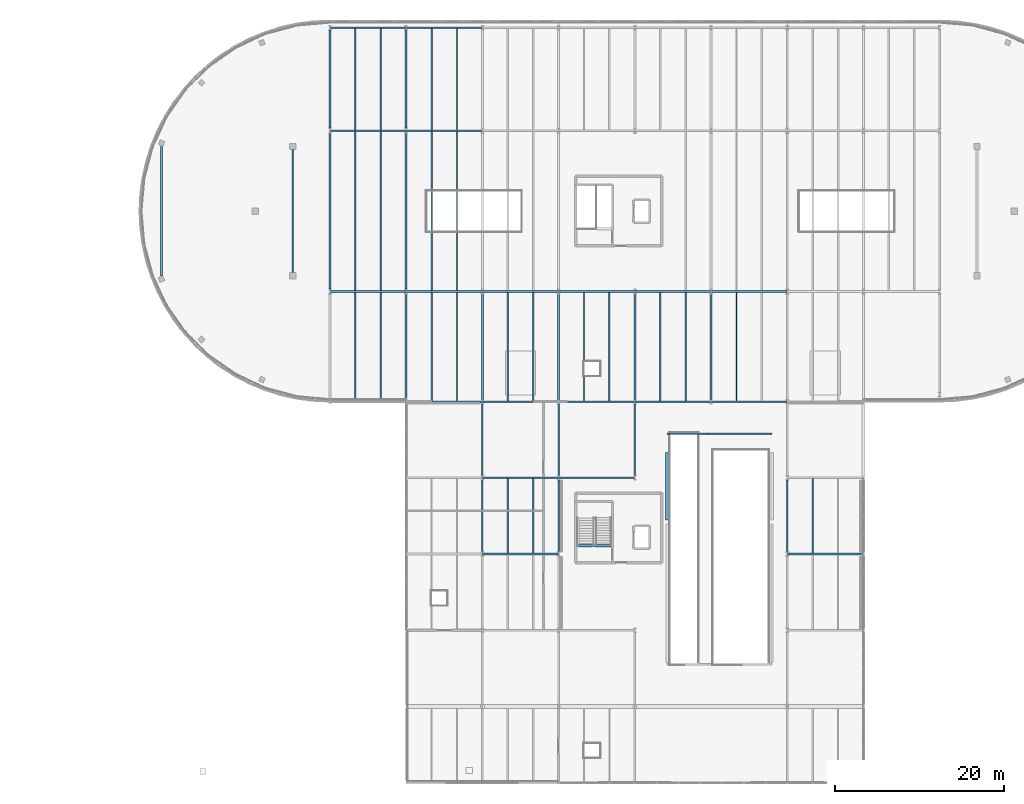
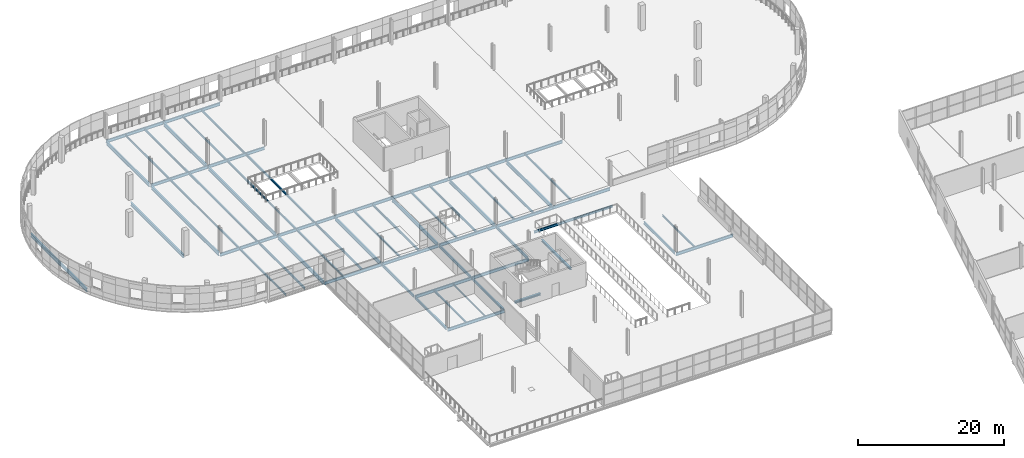
# One storey, part 30 of 88: 62 beams.
"""IFC4 building model written with IfcOpenShell, lengths in metres."""

from ifc_helpers import new_model, si_unit, direction, frame, origin, origin_2d, place, context, subcontext, project, spatial, i_section, extrude, material, material_profile, profile_set, type_object, element, save


model = new_model("IFC4")

# Units and contexts
model_context = context("Model", 3, precision=1e-05, world=origin(), true_north=direction((0.0, 1.0)))
body_context = subcontext(model_context, "Body", "Model", "MODEL_VIEW")
ifc_project = project(units=[si_unit("LENGTHUNIT", "METRE"), si_unit("AREAUNIT", "SQUARE_METRE"), si_unit("VOLUMEUNIT", "CUBIC_METRE"), si_unit("PLANEANGLEUNIT", "RADIAN"), si_unit("MASSUNIT", "GRAM", prefix="KILO")], contexts=[model_context])

# Site, building, storey
site_placement = place(None, origin())
site = spatial("IfcSite", under=ifc_project, at=site_placement, CompositionType="ELEMENT")
building_placement = place(site_placement, origin())
building = spatial("IfcBuilding", under=site, at=building_placement, Name="Deido Ridge Mobility Hub", CompositionType="ELEMENT")
storey_placement = place(building_placement, frame((0.0, 0.0, 16.800048828125)))
storey = spatial("IfcBuildingStorey", under=building, at=storey_placement, Name="L04", CompositionType="ELEMENT", Elevation=16.800048828125)

# Beams
ifc_material = material(Name="Steel S355J2 EN 10025-2", Category="steel")
ifc_material_profile_1 = material_profile(ifc_material, i_section(OverallWidth=0.300048828125, OverallDepth=0.330078125, WebThickness=0.009521484375, FlangeThickness=0.0166015625, FilletRadius=0.027099609375, at=origin_2d()), Name="HEA 340")
ifc_profile_set_1 = profile_set([ifc_material_profile_1], Name="Steel S355J2 EN 10025-2")
beam_type_1 = type_object("IfcBeamType", Name="BM-HEA340", PredefinedType="BEAM", material=ifc_profile_set_1)
beam_1_placement = place(storey_placement, frame((84.800048828125, 67.02490234375, -0.43994140625), z_axis=(0.0, 1.0, 0.0), x_axis=(-1.0, 0.0, 0.0)))
element("IfcBeam", 1, at=beam_1_placement, inside=storey, type_object=beam_type_1, Name="Floor beam B6", PredefinedType="BEAM", context=body_context, shape_type="SweptSolid", body=[
    extrude(i_section(OverallWidth=0.300048828125, OverallDepth=0.330078125, WebThickness=0.009521484375, FlangeThickness=0.0166015625, FilletRadius=0.027099609375, at=origin_2d()), origin(), (0.0, 0.0, 1.0), 7.9501953125),
])
beam_2_placement = place(storey_placement, frame((74.14990234375, 64.0, -0.43994140625), z_axis=(1.0, 0.0, 0.0), x_axis=(0.0, 1.0, 0.0)))
element("IfcBeam", 2, at=beam_2_placement, inside=storey, type_object=beam_type_1, Name="C4 stair landing trimmer beam B6", PredefinedType="BEAM", context=body_context, shape_type="SweptSolid", body=[
    extrude(i_section(OverallWidth=0.300048828125, OverallDepth=0.330078125, WebThickness=0.009521484375, FlangeThickness=0.0166015625, FilletRadius=0.027099609375, at=origin_2d()), origin(), (0.0, 0.0, 1.0), 4.085205078125),
])
ifc_material_profile_2 = material_profile(ifc_material, i_section(OverallWidth=0.179931640625, OverallDepth=0.39990234375, WebThickness=0.008544921875, FlangeThickness=0.013427734375, FilletRadius=0.02099609375, at=origin_2d()), Name="IPE 400")
ifc_profile_set_2 = profile_set([ifc_material_profile_2], Name="Steel S355J2 EN 10025-2")
beam_type_2 = type_object("IfcBeamType", Name="BM-IPE400", PredefinedType="BEAM", material=ifc_profile_set_2)
beam_3_placement = place(storey_placement, frame((84.806884765625, 77.199951171875, -0.47509765625), z_axis=(1.0, 0.0, 0.0), x_axis=(0.0, 1.0, 0.0)))
element("IfcBeam", 3, at=beam_3_placement, inside=storey, type_object=beam_type_2, Name="Floor beam B5", PredefinedType="BEAM", context=body_context, shape_type="SweptSolid", body=[
    extrude(i_section(OverallWidth=0.179931640625, OverallDepth=0.39990234375, WebThickness=0.008544921875, FlangeThickness=0.013427734375, FilletRadius=0.02099609375, at=origin_2d()), origin(), (0.0, 0.0, 1.0), 4.7861328125),
])
beam_4_placement = place(storey_placement, frame((89.60693359375, 77.199951171875, -0.47509765625), z_axis=(1.0, 0.0, 0.0), x_axis=(0.0, 1.0, 0.0)))
element("IfcBeam", 4, at=beam_4_placement, inside=storey, type_object=beam_type_2, Name="Floor beam B5", PredefinedType="BEAM", context=body_context, shape_type="SweptSolid", body=[
    extrude(i_section(OverallWidth=0.179931640625, OverallDepth=0.39990234375, WebThickness=0.008544921875, FlangeThickness=0.013427734375, FilletRadius=0.02099609375, at=origin_2d()), origin(), (0.0, 0.0, 1.0), 7.586181640625),
])
ifc_material_profile_3 = material_profile(ifc_material, i_section(OverallWidth=0.18994140625, OverallDepth=0.449951171875, WebThickness=0.009521484375, FlangeThickness=0.0146484375, FilletRadius=0.02099609375, at=origin_2d()), Name="IPE 450")
ifc_profile_set_3 = profile_set([ifc_material_profile_3], Name="Steel S355J2 EN 10025-2")
beam_type_3 = type_object("IfcBeamType", Name="BM-IPE450", PredefinedType="BEAM", material=ifc_profile_set_3)
for number, where, z_axis, x_axis, name in (
    (5, (63.0, 63.25, -0.5), (0.0, 1.0, 0.0), (-1.0, 0.0, 0.0), "Floor beam B4"),
    (6, (63.0, 72.25, -0.5), (0.0, 1.0, 0.0), (-1.0, 0.0, 0.0), "Floor beam B4"),
    (7, (72.0, 63.25, -0.5), (0.0, 1.0, 0.0), (-1.0, 0.0, 0.0), "Floor beam B4"),
    (8, (72.0, 72.25, -0.5), (0.0, 1.0, 0.0), (-1.0, 0.0, 0.0), "Floor beam B4"),
    (9, (81.0, 72.25, -0.5), (0.0, 1.0, 0.0), (-1.0, 0.0, 0.0), "Floor beam B4"),
    (10, (99.0, 63.25, -0.5), (0.0, 1.0, 0.0), (-1.0, 0.0, 0.0), "Floor beam B4"),
):
    element("IfcBeam", number, at=place(storey_placement, frame(where, z_axis=z_axis, x_axis=x_axis)), inside=storey, type_object=beam_type_3, Name=name, PredefinedType="BEAM", context=body_context, shape_type="SweptSolid", body=[
        extrude(i_section(OverallWidth=0.18994140625, OverallDepth=0.449951171875, WebThickness=0.009521484375, FlangeThickness=0.0146484375, FilletRadius=0.02099609375, at=origin_2d()), origin(), (0.0, 0.0, 1.0), 8.5),
    ])
ifc_material_profile_4 = material_profile(ifc_material, i_section(OverallWidth=0.199951171875, OverallDepth=0.5, WebThickness=0.01025390625, FlangeThickness=0.01611328125, FilletRadius=0.02099609375, at=origin_2d()), Name="IPE 500")
ifc_profile_set_4 = profile_set([ifc_material_profile_4], Name="Steel S355J2 EN 10025-2")
beam_type_4 = type_object("IfcBeamType", Name="BM-IPE500", PredefinedType="BEAM", material=ifc_profile_set_4)
for number, where, z_axis, x_axis, name in (
    (11, (54.007080078125, 81.0, -0.525146484375), (1.0, 0.0, 0.0), (0.0, 1.0, 0.0), "Floor beam B3"),
    (12, (63.007080078125, 81.0, -0.525146484375), (1.0, 0.0, 0.0), (0.0, 1.0, 0.0), "Floor beam B3"),
    (13, (72.007080078125, 81.0, -0.525146484375), (1.0, 0.0, 0.0), (0.0, 1.0, 0.0), "Floor beam B3"),
    (14, (81.007080078125, 81.0, -0.525146484375), (1.0, 0.0, 0.0), (0.0, 1.0, 0.0), "Floor beam B3"),
    (15, (90.007080078125, 81.0, -0.525146484375), (1.0, 0.0, 0.0), (0.0, 1.0, 0.0), "Floor beam B3"),
):
    element("IfcBeam", number, at=place(storey_placement, frame(where, z_axis=z_axis, x_axis=x_axis)), inside=storey, type_object=beam_type_4, Name=name, PredefinedType="BEAM", context=body_context, shape_type="SweptSolid", body=[
        extrude(i_section(OverallWidth=0.199951171875, OverallDepth=0.5, WebThickness=0.01025390625, FlangeThickness=0.01611328125, FilletRadius=0.02099609375, at=origin_2d()), origin(), (0.0, 0.0, 1.0), 8.98583984375),
    ])
for number, where, z_axis, x_axis, name in (
    (16, (45.0078125, 94.0, -0.525146484375), (1.0, 0.0, 0.0), (0.0, 1.0, 0.0), "Floor beam B3"),
    (17, (54.0078125, 94.0, -0.525146484375), (1.0, 0.0, 0.0), (0.0, 1.0, 0.0), "Floor beam B3"),
    (18, (63.0078125, 94.0, -0.525146484375), (1.0, 0.0, 0.0), (0.0, 1.0, 0.0), "Floor beam B3"),
    (19, (72.0078125, 94.0, -0.525146484375), (1.0, 0.0, 0.0), (0.0, 1.0, 0.0), "Floor beam B3"),
    (20, (81.0078125, 94.0, -0.525146484375), (1.0, 0.0, 0.0), (0.0, 1.0, 0.0), "Floor beam B3"),
    (21, (90.0078125, 94.0, -0.525146484375), (1.0, 0.0, 0.0), (0.0, 1.0, 0.0), "Floor beam B3"),
    (22, (45.0078125, 113.0, -0.525146484375), (1.0, 0.0, 0.0), (0.0, 1.0, 0.0), "Floor beam B3"),
    (23, (54.0078125, 113.0, -0.525146484375), (1.0, 0.0, 0.0), (0.0, 1.0, 0.0), "Floor beam B3"),
):
    element("IfcBeam", number, at=place(storey_placement, frame(where, z_axis=z_axis, x_axis=x_axis)), inside=storey, type_object=beam_type_4, Name=name, PredefinedType="BEAM", context=body_context, shape_type="SweptSolid", body=[
        extrude(i_section(OverallWidth=0.199951171875, OverallDepth=0.5, WebThickness=0.01025390625, FlangeThickness=0.01611328125, FilletRadius=0.02099609375, at=origin_2d()), origin(), (0.0, 0.0, 1.0), 8.984375),
    ])
for number, where, z_axis, x_axis, name in (
    (24, (45.007080078125, 125.14990234375, -0.525146484375), (1.0, 0.0, 0.0), (0.0, 1.0, 0.0), "Floor beam B3"),
    (25, (54.007080078125, 125.14990234375, -0.525146484375), (1.0, 0.0, 0.0), (0.0, 1.0, 0.0), "Floor beam B3"),
    (26, (63.007080078125, 63.0, -0.525146484375), (1.0, 0.0, 0.0), (0.0, 1.0, 0.0), "Floor beam B3"),
    (27, (99.007080078125, 63.0, -0.525146484375), (1.0, 0.0, 0.0), (0.0, 1.0, 0.0), "Floor beam B3"),
    (28, (63.007080078125, 72.0, -0.525146484375), (1.0, 0.0, 0.0), (0.0, 1.0, 0.0), "Floor beam B3"),
    (29, (72.007080078125, 72.0, -0.525146484375), (1.0, 0.0, 0.0), (0.0, 1.0, 0.0), "Floor beam B3"),
):
    element("IfcBeam", number, at=place(storey_placement, frame(where, z_axis=z_axis, x_axis=x_axis)), inside=storey, type_object=beam_type_4, Name=name, PredefinedType="BEAM", context=body_context, shape_type="SweptSolid", body=[
        extrude(i_section(OverallWidth=0.199951171875, OverallDepth=0.5, WebThickness=0.01025390625, FlangeThickness=0.01611328125, FilletRadius=0.02099609375, at=origin_2d()), origin(), (0.0, 0.0, 1.0), 8.98583984375),
    ])
ifc_material_profile_5 = material_profile(ifc_material, i_section(OverallWidth=0.219970703125, OverallDepth=0.60009765625, WebThickness=0.011962890625, FlangeThickness=0.01904296875, FilletRadius=0.02392578125, at=origin_2d()), Name="IPE 600")
ifc_profile_set_5 = profile_set([ifc_material_profile_5], Name="Steel S355J2 EN 10025-2")
beam_type_5 = type_object("IfcBeamType", Name="BM-IPE600", PredefinedType="BEAM", material=ifc_profile_set_5)
beam_5_placement = place(storey_placement, frame((25.110107421875, 95.8505859375, -0.574951171875), z_axis=(0.0, 1.0, 0.0), x_axis=(-1.0, 0.0, 0.0)))
element("IfcBeam", 30, at=beam_5_placement, inside=storey, type_object=beam_type_5, Name="Floor beam B1", PredefinedType="BEAM", context=body_context, shape_type="SweptSolid", body=[
    extrude(i_section(OverallWidth=0.219970703125, OverallDepth=0.60009765625, WebThickness=0.011962890625, FlangeThickness=0.01904296875, FilletRadius=0.02392578125, at=origin_2d()), origin(), (0.0, 0.0, 1.0), 15.298828125),
])
beam_6_placement = place(storey_placement, frame((40.60009765625, 96.2548828125, -0.574951171875), z_axis=(0.0, 1.0, 0.0), x_axis=(-1.0, 0.0, 0.0)))
element("IfcBeam", 31, at=beam_6_placement, inside=storey, type_object=beam_type_5, Name="Floor beam B1", PredefinedType="BEAM", context=body_context, shape_type="SweptSolid", body=[
    extrude(i_section(OverallWidth=0.219970703125, OverallDepth=0.60009765625, WebThickness=0.011962890625, FlangeThickness=0.01904296875, FilletRadius=0.02392578125, at=origin_2d()), origin(), (0.0, 0.0, 1.0), 14.490234375),
])
beam_7_placement = place(storey_placement, frame((45.0, 94.300048828125, -0.574951171875), z_axis=(0.0, 1.0, 0.0), x_axis=(-1.0, 0.0, 0.0)))
element("IfcBeam", 32, at=beam_7_placement, inside=storey, type_object=beam_type_5, Name="Floor beam B1", PredefinedType="BEAM", context=body_context, shape_type="SweptSolid", body=[
    extrude(i_section(OverallWidth=0.219970703125, OverallDepth=0.60009765625, WebThickness=0.011962890625, FlangeThickness=0.01904296875, FilletRadius=0.02392578125, at=origin_2d()), origin(), (0.0, 0.0, 1.0), 18.39990234375),
])
beam_8_placement = place(storey_placement, frame((45.0, 113.300048828125, -0.574951171875), z_axis=(0.0, 1.0, 0.0), x_axis=(-1.0, 0.0, 0.0)))
element("IfcBeam", 33, at=beam_8_placement, inside=storey, type_object=beam_type_5, Name="Floor beam B1", PredefinedType="BEAM", context=body_context, shape_type="SweptSolid", body=[
    extrude(i_section(OverallWidth=0.219970703125, OverallDepth=0.60009765625, WebThickness=0.011962890625, FlangeThickness=0.01904296875, FilletRadius=0.02392578125, at=origin_2d()), origin(), (0.0, 0.0, 1.0), 11.599853515625),
])
beam_9_placement = place(storey_placement, frame((54.0, 81.25, -0.574951171875), z_axis=(0.0, 1.0, 0.0), x_axis=(-1.0, 0.0, 0.0)))
element("IfcBeam", 34, at=beam_9_placement, inside=storey, type_object=beam_type_5, Name="Floor beam B1", PredefinedType="BEAM", context=body_context, shape_type="SweptSolid", body=[
    extrude(i_section(OverallWidth=0.219970703125, OverallDepth=0.60009765625, WebThickness=0.011962890625, FlangeThickness=0.01904296875, FilletRadius=0.02392578125, at=origin_2d()), origin(), (0.0, 0.0, 1.0), 12.449951171875),
])
beam_10_placement = place(storey_placement, frame((54.0, 94.300048828125, -0.574951171875), z_axis=(0.0, 1.0, 0.0), x_axis=(-1.0, 0.0, 0.0)))
element("IfcBeam", 35, at=beam_10_placement, inside=storey, type_object=beam_type_5, Name="Floor beam B1", PredefinedType="BEAM", context=body_context, shape_type="SweptSolid", body=[
    extrude(i_section(OverallWidth=0.219970703125, OverallDepth=0.60009765625, WebThickness=0.011962890625, FlangeThickness=0.01904296875, FilletRadius=0.02392578125, at=origin_2d()), origin(), (0.0, 0.0, 1.0), 18.39990234375),
])
beam_11_placement = place(storey_placement, frame((54.0, 113.300048828125, -0.574951171875), z_axis=(0.0, 1.0, 0.0), x_axis=(-1.0, 0.0, 0.0)))
element("IfcBeam", 36, at=beam_11_placement, inside=storey, type_object=beam_type_5, Name="Floor beam B1", PredefinedType="BEAM", context=body_context, shape_type="SweptSolid", body=[
    extrude(i_section(OverallWidth=0.219970703125, OverallDepth=0.60009765625, WebThickness=0.011962890625, FlangeThickness=0.01904296875, FilletRadius=0.02392578125, at=origin_2d()), origin(), (0.0, 0.0, 1.0), 11.599853515625),
])
for number, where, z_axis, x_axis, name in (
    (37, (63.0, 81.25, -0.574951171875), (0.0, 1.0, 0.0), (-1.0, 0.0, 0.0), "Floor beam B1"),
    (38, (72.0, 81.25, -0.574951171875), (0.0, 1.0, 0.0), (-1.0, 0.0, 0.0), "Floor beam B1"),
    (39, (81.0, 81.25, -0.574951171875), (0.0, 1.0, 0.0), (-1.0, 0.0, 0.0), "Floor beam B1"),
    (40, (90.0, 81.25, -0.574951171875), (0.0, 1.0, 0.0), (-1.0, 0.0, 0.0), "Floor beam B1"),
):
    element("IfcBeam", number, at=place(storey_placement, frame(where, z_axis=z_axis, x_axis=x_axis)), inside=storey, type_object=beam_type_5, Name=name, PredefinedType="BEAM", context=body_context, shape_type="SweptSolid", body=[
        extrude(i_section(OverallWidth=0.219970703125, OverallDepth=0.60009765625, WebThickness=0.011962890625, FlangeThickness=0.01904296875, FilletRadius=0.02392578125, at=origin_2d()), origin(), (0.0, 0.0, 1.0), 12.449951171875),
    ])
ifc_material_profile_6 = material_profile(ifc_material, i_section(OverallWidth=0.135009765625, OverallDepth=0.27001953125, WebThickness=0.006591796875, FlangeThickness=0.01025390625, FilletRadius=0.014892578125, at=origin_2d()), Name="IPE 270")
ifc_profile_set_6 = profile_set([ifc_material_profile_6], Name="Steel S355J2 EN 10025-2")
beam_type_6 = type_object("IfcBeamType", Name="JST-IPE270", PredefinedType="JOIST", material=ifc_profile_set_6)
beam_12_placement = place(storey_placement, frame((69.0, 63.10009765625, -0.41015625), z_axis=(0.0, 1.0, 0.0), x_axis=(-1.0, 0.0, 0.0)))
element("IfcBeam", 41, at=beam_12_placement, inside=storey, type_object=beam_type_6, Name="Composite joist J4", PredefinedType="JOIST", context=body_context, shape_type="SweptSolid", body=[
    extrude(i_section(OverallWidth=0.135009765625, OverallDepth=0.27001953125, WebThickness=0.006591796875, FlangeThickness=0.01025390625, FilletRadius=0.014892578125, at=origin_2d()), origin(), (0.0, 0.0, 1.0), 8.7998046875),
])
ifc_material_profile_7 = material_profile(ifc_material, i_section(OverallWidth=0.14990234375, OverallDepth=0.300048828125, WebThickness=0.007080078125, FlangeThickness=0.0107421875, FilletRadius=0.014892578125, at=origin_2d()), Name="IPE 300")
ifc_profile_set_7 = profile_set([ifc_material_profile_7], Name="Steel S355J2 EN 10025-2")
beam_type_7 = type_object("IfcBeamType", Name="JST-IPE300", PredefinedType="JOIST", material=ifc_profile_set_7)
for number, where, z_axis, x_axis, name in (
    (42, (66.0, 63.10009765625, -0.425048828125), (0.0, 1.0, 0.0), (-1.0, 0.0, 0.0), "Composite joist J3"),
    (43, (102.0, 63.10009765625, -0.425048828125), (0.0, 1.0, 0.0), (-1.0, 0.0, 0.0), "Composite joist J3"),
):
    element("IfcBeam", number, at=place(storey_placement, frame(where, z_axis=z_axis, x_axis=x_axis)), inside=storey, type_object=beam_type_7, Name=name, PredefinedType="JOIST", context=body_context, shape_type="SweptSolid", body=[
        extrude(i_section(OverallWidth=0.14990234375, OverallDepth=0.300048828125, WebThickness=0.007080078125, FlangeThickness=0.0107421875, FilletRadius=0.014892578125, at=origin_2d()), origin(), (0.0, 0.0, 1.0), 8.7998046875),
    ])
ifc_material_profile_8 = material_profile(ifc_material, i_section(OverallWidth=0.159912109375, OverallDepth=0.330078125, WebThickness=0.007568359375, FlangeThickness=0.011474609375, FilletRadius=0.01806640625, at=origin_2d()), Name="IPE 330")
ifc_profile_set_8 = profile_set([ifc_material_profile_8], Name="Steel S355J2 EN 10025-2")
beam_type_8 = type_object("IfcBeamType", Name="JST-IPE330", PredefinedType="JOIST", material=ifc_profile_set_8)
beam_13_placement = place(storey_placement, frame((48.0, 81.14990234375, -0.43994140625), z_axis=(0.0, 1.0, 0.0), x_axis=(-1.0, 0.0, 0.0)))
element("IfcBeam", 44, at=beam_13_placement, inside=storey, type_object=beam_type_8, Name="Composite joist J2", PredefinedType="JOIST", context=body_context, shape_type="SweptSolid", body=[
    extrude(i_section(OverallWidth=0.159912109375, OverallDepth=0.330078125, WebThickness=0.007568359375, FlangeThickness=0.011474609375, FilletRadius=0.01806640625, at=origin_2d()), origin(), (0.0, 0.0, 1.0), 12.75),
])
for number, where, z_axis, x_axis, name in (
    (45, (57.0, 81.10009765625, -0.43994140625), (0.0, 1.0, 0.0), (-1.0, 0.0, 0.0), "Composite joist J2"),
    (46, (66.0, 81.10009765625, -0.43994140625), (0.0, 1.0, 0.0), (-1.0, 0.0, 0.0), "Composite joist J2"),
    (47, (75.0, 81.10009765625, -0.43994140625), (0.0, 1.0, 0.0), (-1.0, 0.0, 0.0), "Composite joist J2"),
    (48, (84.0, 81.10009765625, -0.43994140625), (0.0, 1.0, 0.0), (-1.0, 0.0, 0.0), "Composite joist J2"),
    (49, (93.0, 81.10009765625, -0.43994140625), (0.0, 1.0, 0.0), (-1.0, 0.0, 0.0), "Composite joist J2"),
):
    element("IfcBeam", number, at=place(storey_placement, frame(where, z_axis=z_axis, x_axis=x_axis)), inside=storey, type_object=beam_type_8, Name=name, PredefinedType="JOIST", context=body_context, shape_type="SweptSolid", body=[
        extrude(i_section(OverallWidth=0.159912109375, OverallDepth=0.330078125, WebThickness=0.007568359375, FlangeThickness=0.011474609375, FilletRadius=0.01806640625, at=origin_2d()), origin(), (0.0, 0.0, 1.0), 12.7998046875),
    ])
for number, where, z_axis, x_axis, name in (
    (50, (48.0, 94.10009765625, -0.43994140625), (0.0, 1.0, 0.0), (-1.0, 0.0, 0.0), "Composite joist J2"),
    (51, (57.0, 94.10009765625, -0.43994140625), (0.0, 1.0, 0.0), (-1.0, 0.0, 0.0), "Composite joist J2"),
):
    element("IfcBeam", number, at=place(storey_placement, frame(where, z_axis=z_axis, x_axis=x_axis)), inside=storey, type_object=beam_type_8, Name=name, PredefinedType="JOIST", context=body_context, shape_type="SweptSolid", body=[
        extrude(i_section(OverallWidth=0.159912109375, OverallDepth=0.330078125, WebThickness=0.007568359375, FlangeThickness=0.011474609375, FilletRadius=0.01806640625, at=origin_2d()), origin(), (0.0, 0.0, 1.0), 18.7998046875),
    ])
for number, where, z_axis, x_axis, name in (
    (52, (48.0, 113.10009765625, -0.43994140625), (0.0, 1.0, 0.0), (-1.0, 0.0, 0.0), "Composite joist J2"),
    (53, (57.0, 113.10009765625, -0.43994140625), (0.0, 1.0, 0.0), (-1.0, 0.0, 0.0), "Composite joist J2"),
):
    element("IfcBeam", number, at=place(storey_placement, frame(where, z_axis=z_axis, x_axis=x_axis)), inside=storey, type_object=beam_type_8, Name=name, PredefinedType="JOIST", context=body_context, shape_type="SweptSolid", body=[
        extrude(i_section(OverallWidth=0.159912109375, OverallDepth=0.330078125, WebThickness=0.007568359375, FlangeThickness=0.011474609375, FilletRadius=0.01806640625, at=origin_2d()), origin(), (0.0, 0.0, 1.0), 11.949951171875),
    ])
ifc_material_profile_9 = material_profile(ifc_material, i_section(OverallWidth=0.169921875, OverallDepth=0.360107421875, WebThickness=0.008056640625, FlangeThickness=0.0126953125, FilletRadius=0.01806640625, at=origin_2d()), Name="IPE 360")
ifc_profile_set_9 = profile_set([ifc_material_profile_9], Name="Steel S355J2 EN 10025-2")
beam_type_9 = type_object("IfcBeamType", Name="JST-IPE360", PredefinedType="JOIST", material=ifc_profile_set_9)
beam_14_placement = place(storey_placement, frame((51.0, 81.14990234375, -0.455078125), z_axis=(0.0, 1.0, 0.0), x_axis=(-1.0, 0.0, 0.0)))
element("IfcBeam", 54, at=beam_14_placement, inside=storey, type_object=beam_type_9, Name="Composite joist J1", PredefinedType="JOIST", context=body_context, shape_type="SweptSolid", body=[
    extrude(i_section(OverallWidth=0.169921875, OverallDepth=0.360107421875, WebThickness=0.008056640625, FlangeThickness=0.0126953125, FilletRadius=0.01806640625, at=origin_2d()), origin(), (0.0, 0.0, 1.0), 12.75),
])
for number, where, z_axis, x_axis, name in (
    (55, (60.0, 81.10009765625, -0.455078125), (0.0, 1.0, 0.0), (-1.0, 0.0, 0.0), "Composite joist J1"),
    (56, (69.0, 81.10009765625, -0.455078125), (0.0, 1.0, 0.0), (-1.0, 0.0, 0.0), "Composite joist J1"),
    (57, (78.0, 81.10009765625, -0.455078125), (0.0, 1.0, 0.0), (-1.0, 0.0, 0.0), "Composite joist J1"),
    (58, (87.0, 81.10009765625, -0.455078125), (0.0, 1.0, 0.0), (-1.0, 0.0, 0.0), "Composite joist J1"),
):
    element("IfcBeam", number, at=place(storey_placement, frame(where, z_axis=z_axis, x_axis=x_axis)), inside=storey, type_object=beam_type_9, Name=name, PredefinedType="JOIST", context=body_context, shape_type="SweptSolid", body=[
        extrude(i_section(OverallWidth=0.169921875, OverallDepth=0.360107421875, WebThickness=0.008056640625, FlangeThickness=0.0126953125, FilletRadius=0.01806640625, at=origin_2d()), origin(), (0.0, 0.0, 1.0), 12.7998046875),
    ])
for number, where, z_axis, x_axis, name in (
    (59, (51.0, 94.10009765625, -0.455078125), (0.0, 1.0, 0.0), (-1.0, 0.0, 0.0), "Composite joist J1"),
    (60, (60.0, 94.10009765625, -0.455078125), (0.0, 1.0, 0.0), (-1.0, 0.0, 0.0), "Composite joist J1"),
):
    element("IfcBeam", number, at=place(storey_placement, frame(where, z_axis=z_axis, x_axis=x_axis)), inside=storey, type_object=beam_type_9, Name=name, PredefinedType="JOIST", context=body_context, shape_type="SweptSolid", body=[
        extrude(i_section(OverallWidth=0.169921875, OverallDepth=0.360107421875, WebThickness=0.008056640625, FlangeThickness=0.0126953125, FilletRadius=0.01806640625, at=origin_2d()), origin(), (0.0, 0.0, 1.0), 18.7998046875),
    ])
for number, where, z_axis, x_axis, name in (
    (61, (51.0, 113.10009765625, -0.455078125), (0.0, 1.0, 0.0), (-1.0, 0.0, 0.0), "Composite joist J1"),
    (62, (60.0, 113.10009765625, -0.455078125), (0.0, 1.0, 0.0), (-1.0, 0.0, 0.0), "Composite joist J1"),
):
    element("IfcBeam", number, at=place(storey_placement, frame(where, z_axis=z_axis, x_axis=x_axis)), inside=storey, type_object=beam_type_9, Name=name, PredefinedType="JOIST", context=body_context, shape_type="SweptSolid", body=[
        extrude(i_section(OverallWidth=0.169921875, OverallDepth=0.360107421875, WebThickness=0.008056640625, FlangeThickness=0.0126953125, FilletRadius=0.01806640625, at=origin_2d()), origin(), (0.0, 0.0, 1.0), 11.949951171875),
    ])

save(model, "model.ifc")
